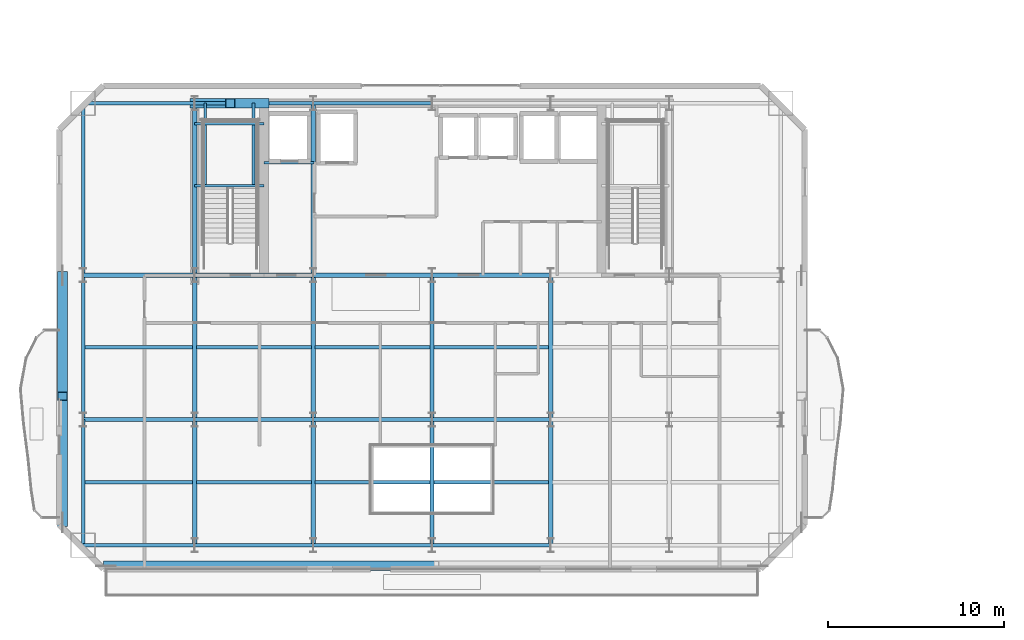
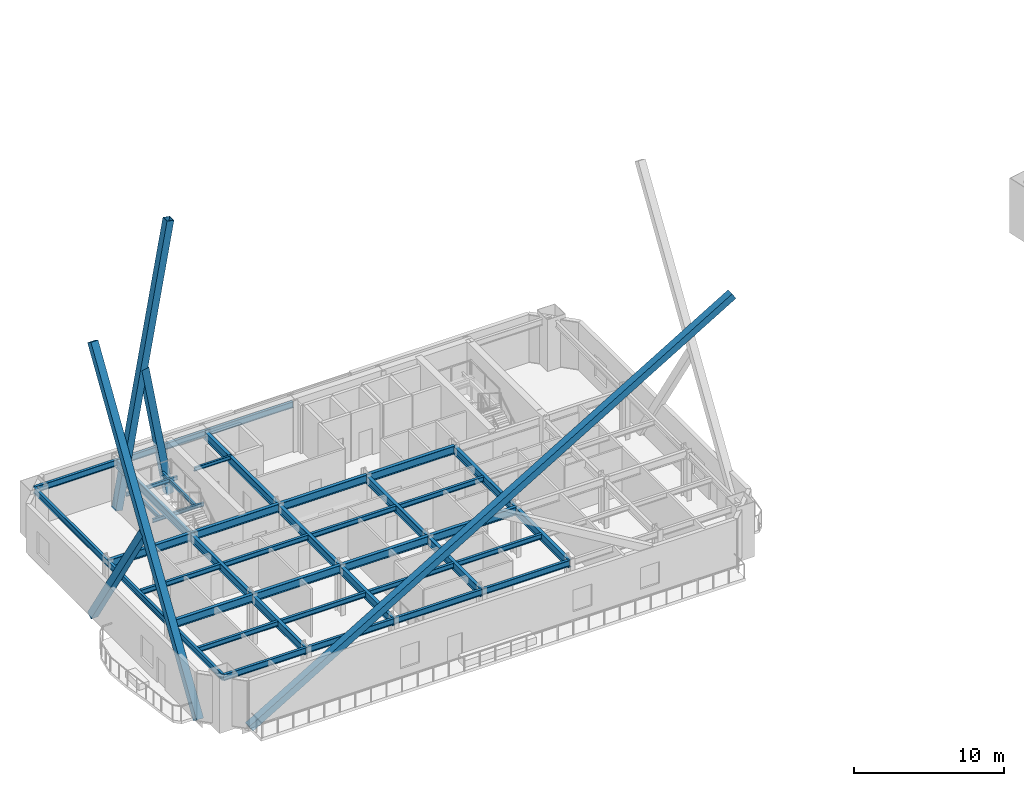
# One storey, part 3 of 22: 41 beams, 5 members.
"""IFC4 building model written with IfcOpenShell, lengths in metres."""

from ifc_helpers import new_model, si_unit, direction, frame, origin, origin_2d, place, context, subcontext, project, spatial, hollow_rectangle, i_section, extrude, material, material_profile, profile_set, type_object, element, save


model = new_model("IFC4")

# Units and contexts
model_context = context("Model", 3, precision=1e-05, world=origin(), true_north=direction((0.0, 1.0)))
body_context = subcontext(model_context, "Body", "Model", "MODEL_VIEW")
ifc_project = project(units=[si_unit("LENGTHUNIT", "METRE"), si_unit("AREAUNIT", "SQUARE_METRE"), si_unit("VOLUMEUNIT", "CUBIC_METRE"), si_unit("PLANEANGLEUNIT", "RADIAN"), si_unit("MASSUNIT", "GRAM", prefix="KILO")], contexts=[model_context])

# Site, building, storey
site_placement = place(None, origin())
site = spatial("IfcSite", under=ifc_project, at=site_placement, CompositionType="ELEMENT")
building_placement = place(site_placement, origin())
building = spatial("IfcBuilding", under=site, at=building_placement, Name="Haevon Station Towers", CompositionType="ELEMENT")
storey_placement = place(building_placement, frame((0.0, 0.0, 133.800048828125)))
storey = spatial("IfcBuildingStorey", under=building, at=storey_placement, Name="L36", CompositionType="ELEMENT", Elevation=133.800048828125)

# Beams
ifc_material_1 = material(Name="Steel S355", Category="steel")
ifc_material_profile_1 = material_profile(ifc_material_1, i_section(OverallWidth=0.25, OverallDepth=0.64990234375, WebThickness=0.012939453125, FlangeThickness=0.02197265625, at=origin_2d()), Name="H-650x250x13x22")
ifc_profile_set_1 = profile_set([ifc_material_profile_1], Name="Steel S355")
beam_type_1 = type_object("IfcBeamType", Name="BM-G650", PredefinedType="BEAM", material=ifc_profile_set_1)
beam_1_placement = place(storey_placement, frame((17.64990234375, 30.0, 3.594970703125), z_axis=(1.0, 0.0, 0.0), x_axis=(0.0, 1.0, 0.0)))
element("IfcBeam", 1, at=beam_1_placement, inside=storey, type_object=beam_type_1, Name="BM-T1U-L36-02-01", PredefinedType="BEAM", context=body_context, shape_type="SweptSolid", body=[
    extrude(i_section(OverallWidth=0.25, OverallDepth=0.64990234375, WebThickness=0.012939453125, FlangeThickness=0.02197265625, at=origin_2d()), origin(), (0.0, 0.0, 1.0), 6.35009765625),
])
for number, where, z_axis, x_axis, name in (
    (2, (24.0, 30.0, 3.594970703125), (1.0, 0.0, 0.0), (0.0, 1.0, 0.0), "BM-T1U-L36-02-02"),
    (3, (30.75, 30.0, 3.594970703125), (1.0, 0.0, 0.0), (0.0, 1.0, 0.0), "BM-T1U-L36-02-03"),
    (4, (37.5, 30.0, 3.594970703125), (1.0, 0.0, 0.0), (0.0, 1.0, 0.0), "BM-T1U-L36-02-04"),
):
    element("IfcBeam", number, at=place(storey_placement, frame(where, z_axis=z_axis, x_axis=x_axis)), inside=storey, type_object=beam_type_1, Name=name, PredefinedType="BEAM", context=body_context, shape_type="SweptSolid", body=[
        extrude(i_section(OverallWidth=0.25, OverallDepth=0.64990234375, WebThickness=0.012939453125, FlangeThickness=0.02197265625, at=origin_2d()), origin(), (0.0, 0.0, 1.0), 6.75),
    ])
beam_2_placement = place(storey_placement, frame((17.64990234375, 38.199951171875, 3.594970703125), z_axis=(1.0, 0.0, 0.0), x_axis=(0.0, 1.0, 0.0)))
element("IfcBeam", 5, at=beam_2_placement, inside=storey, type_object=beam_type_1, Name="BM-T1U-L36-03-01", PredefinedType="BEAM", context=body_context, shape_type="SweptSolid", body=[
    extrude(i_section(OverallWidth=0.25, OverallDepth=0.64990234375, WebThickness=0.012939453125, FlangeThickness=0.02197265625, at=origin_2d()), origin(), (0.0, 0.0, 1.0), 6.35009765625),
])
for number, where, z_axis, x_axis, name in (
    (6, (24.0, 38.199951171875, 3.594970703125), (1.0, 0.0, 0.0), (0.0, 1.0, 0.0), "BM-T1U-L36-03-02"),
    (7, (30.75, 38.199951171875, 3.594970703125), (1.0, 0.0, 0.0), (0.0, 1.0, 0.0), "BM-T1U-L36-03-03"),
    (8, (37.5, 38.199951171875, 3.594970703125), (1.0, 0.0, 0.0), (0.0, 1.0, 0.0), "BM-T1U-L36-03-04"),
):
    element("IfcBeam", number, at=place(storey_placement, frame(where, z_axis=z_axis, x_axis=x_axis)), inside=storey, type_object=beam_type_1, Name=name, PredefinedType="BEAM", context=body_context, shape_type="SweptSolid", body=[
        extrude(i_section(OverallWidth=0.25, OverallDepth=0.64990234375, WebThickness=0.012939453125, FlangeThickness=0.02197265625, at=origin_2d()), origin(), (0.0, 0.0, 1.0), 6.75),
    ])
beam_3_placement = place(storey_placement, frame((24.0, 22.85009765625, 3.594970703125), z_axis=(0.0, 1.0, 0.0), x_axis=(-1.0, 0.0, 0.0)))
element("IfcBeam", 9, at=beam_3_placement, inside=storey, type_object=beam_type_1, Name="BM-T1V-L36-02-01", PredefinedType="BEAM", context=body_context, shape_type="SweptSolid", body=[
    extrude(i_section(OverallWidth=0.25, OverallDepth=0.64990234375, WebThickness=0.012939453125, FlangeThickness=0.02197265625, at=origin_2d()), origin(), (0.0, 0.0, 1.0), 7.14990234375),
])
beam_4_placement = place(storey_placement, frame((24.0, 30.0, 3.594970703125), z_axis=(0.0, 1.0, 0.0), x_axis=(-1.0, 0.0, 0.0)))
element("IfcBeam", 10, at=beam_4_placement, inside=storey, type_object=beam_type_1, Name="BM-T1V-L36-02-02", PredefinedType="BEAM", context=body_context, shape_type="SweptSolid", body=[
    extrude(i_section(OverallWidth=0.25, OverallDepth=0.64990234375, WebThickness=0.012939453125, FlangeThickness=0.02197265625, at=origin_2d()), origin(), (0.0, 0.0, 1.0), 8.199951171875),
])
beam_5_placement = place(storey_placement, frame((24.0, 38.199951171875, 3.594970703125), z_axis=(0.0, 1.0, 0.0), x_axis=(-1.0, 0.0, 0.0)))
element("IfcBeam", 11, at=beam_5_placement, inside=storey, type_object=beam_type_1, Name="BM-T1V-L36-02-03", PredefinedType="BEAM", context=body_context, shape_type="SweptSolid", body=[
    extrude(i_section(OverallWidth=0.25, OverallDepth=0.64990234375, WebThickness=0.012939453125, FlangeThickness=0.02197265625, at=origin_2d()), origin(), (0.0, 0.0, 1.0), 9.800048828125),
])
beam_6_placement = place(storey_placement, frame((30.75, 22.85009765625, 3.594970703125), z_axis=(0.0, 1.0, 0.0), x_axis=(-1.0, 0.0, 0.0)))
element("IfcBeam", 12, at=beam_6_placement, inside=storey, type_object=beam_type_1, Name="BM-T1V-L36-03-01", PredefinedType="BEAM", context=body_context, shape_type="SweptSolid", body=[
    extrude(i_section(OverallWidth=0.25, OverallDepth=0.64990234375, WebThickness=0.012939453125, FlangeThickness=0.02197265625, at=origin_2d()), origin(), (0.0, 0.0, 1.0), 7.14990234375),
])
beam_7_placement = place(storey_placement, frame((30.75, 30.0, 3.594970703125), z_axis=(0.0, 1.0, 0.0), x_axis=(-1.0, 0.0, 0.0)))
element("IfcBeam", 13, at=beam_7_placement, inside=storey, type_object=beam_type_1, Name="BM-T1V-L36-03-02", PredefinedType="BEAM", context=body_context, shape_type="SweptSolid", body=[
    extrude(i_section(OverallWidth=0.25, OverallDepth=0.64990234375, WebThickness=0.012939453125, FlangeThickness=0.02197265625, at=origin_2d()), origin(), (0.0, 0.0, 1.0), 8.199951171875),
])
beam_8_placement = place(storey_placement, frame((30.75, 38.199951171875, 3.594970703125), z_axis=(0.0, 1.0, 0.0), x_axis=(-1.0, 0.0, 0.0)))
element("IfcBeam", 14, at=beam_8_placement, inside=storey, type_object=beam_type_1, Name="BM-T1V-L36-03-03", PredefinedType="BEAM", context=body_context, shape_type="SweptSolid", body=[
    extrude(i_section(OverallWidth=0.25, OverallDepth=0.64990234375, WebThickness=0.012939453125, FlangeThickness=0.02197265625, at=origin_2d()), origin(), (0.0, 0.0, 1.0), 9.800048828125),
])
beam_9_placement = place(storey_placement, frame((37.5, 22.85009765625, 3.594970703125), z_axis=(0.0, 1.0, 0.0), x_axis=(-1.0, 0.0, 0.0)))
element("IfcBeam", 15, at=beam_9_placement, inside=storey, type_object=beam_type_1, Name="BM-T1V-L36-04-01", PredefinedType="BEAM", context=body_context, shape_type="SweptSolid", body=[
    extrude(i_section(OverallWidth=0.25, OverallDepth=0.64990234375, WebThickness=0.012939453125, FlangeThickness=0.02197265625, at=origin_2d()), origin(), (0.0, 0.0, 1.0), 7.14990234375),
])
beam_10_placement = place(storey_placement, frame((37.5, 30.0, 3.594970703125), z_axis=(0.0, 1.0, 0.0), x_axis=(-1.0, 0.0, 0.0)))
element("IfcBeam", 16, at=beam_10_placement, inside=storey, type_object=beam_type_1, Name="BM-T1V-L36-04-02", PredefinedType="BEAM", context=body_context, shape_type="SweptSolid", body=[
    extrude(i_section(OverallWidth=0.25, OverallDepth=0.64990234375, WebThickness=0.012939453125, FlangeThickness=0.02197265625, at=origin_2d()), origin(), (0.0, 0.0, 1.0), 8.199951171875),
])
beam_11_placement = place(storey_placement, frame((44.25, 22.85009765625, 3.594970703125), z_axis=(0.0, 1.0, 0.0), x_axis=(-1.0, 0.0, 0.0)))
element("IfcBeam", 17, at=beam_11_placement, inside=storey, type_object=beam_type_1, Name="BM-T1V-L36-05-01", PredefinedType="BEAM", context=body_context, shape_type="SweptSolid", body=[
    extrude(i_section(OverallWidth=0.25, OverallDepth=0.64990234375, WebThickness=0.012939453125, FlangeThickness=0.02197265625, at=origin_2d()), origin(), (0.0, 0.0, 1.0), 7.14990234375),
])
beam_12_placement = place(storey_placement, frame((44.25, 30.0, 3.594970703125), z_axis=(0.0, 1.0, 0.0), x_axis=(-1.0, 0.0, 0.0)))
element("IfcBeam", 18, at=beam_12_placement, inside=storey, type_object=beam_type_1, Name="BM-T1V-L36-05-02", PredefinedType="BEAM", context=body_context, shape_type="SweptSolid", body=[
    extrude(i_section(OverallWidth=0.25, OverallDepth=0.64990234375, WebThickness=0.012939453125, FlangeThickness=0.02197265625, at=origin_2d()), origin(), (0.0, 0.0, 1.0), 8.199951171875),
])
ifc_material_profile_2 = material_profile(ifc_material_1, i_section(OverallWidth=0.199951171875, OverallDepth=0.39990234375, WebThickness=0.008056640625, FlangeThickness=0.012939453125, at=origin_2d()), Name="H-400x200x8x13")
ifc_profile_set_2 = profile_set([ifc_material_profile_2], Name="Steel S355")
beam_type_2 = type_object("IfcBeamType", Name="BM-J400", PredefinedType="JOIST", material=ifc_profile_set_2)
beam_13_placement = place(storey_placement, frame((17.760009765625, 26.425048828125, 3.719970703125), z_axis=(1.0, 0.0, 0.0), x_axis=(0.0, 1.0, 0.0)))
element("IfcBeam", 19, at=beam_13_placement, inside=storey, type_object=beam_type_2, Name="BM-T1J-L36-01-01", PredefinedType="JOIST", context=body_context, shape_type="SweptSolid", body=[
    extrude(i_section(OverallWidth=0.199951171875, OverallDepth=0.39990234375, WebThickness=0.008056640625, FlangeThickness=0.012939453125, at=origin_2d()), origin(), (0.0, 0.0, 1.0), 6.1298828125),
])
for number, where, z_axis, x_axis, name in (
    (20, (24.110107421875, 26.425048828125, 3.719970703125), (1.0, 0.0, 0.0), (0.0, 1.0, 0.0), "BM-T1J-L36-01-02"),
    (21, (30.860107421875, 26.425048828125, 3.719970703125), (1.0, 0.0, 0.0), (0.0, 1.0, 0.0), "BM-T1J-L36-01-03"),
    (22, (37.610107421875, 26.425048828125, 3.719970703125), (1.0, 0.0, 0.0), (0.0, 1.0, 0.0), "BM-T1J-L36-01-04"),
):
    element("IfcBeam", number, at=place(storey_placement, frame(where, z_axis=z_axis, x_axis=x_axis)), inside=storey, type_object=beam_type_2, Name=name, PredefinedType="JOIST", context=body_context, shape_type="SweptSolid", body=[
        extrude(i_section(OverallWidth=0.199951171875, OverallDepth=0.39990234375, WebThickness=0.008056640625, FlangeThickness=0.012939453125, at=origin_2d()), origin(), (0.0, 0.0, 1.0), 6.52978515625),
    ])
beam_14_placement = place(storey_placement, frame((17.760009765625, 34.10009765625, 3.719970703125), z_axis=(1.0, 0.0, 0.0), x_axis=(0.0, 1.0, 0.0)))
element("IfcBeam", 23, at=beam_14_placement, inside=storey, type_object=beam_type_2, Name="BM-T1J-L36-02-01", PredefinedType="JOIST", context=body_context, shape_type="SweptSolid", body=[
    extrude(i_section(OverallWidth=0.199951171875, OverallDepth=0.39990234375, WebThickness=0.008056640625, FlangeThickness=0.012939453125, at=origin_2d()), origin(), (0.0, 0.0, 1.0), 6.1298828125),
])
for number, where, z_axis, x_axis, name in (
    (24, (24.110107421875, 34.10009765625, 3.719970703125), (1.0, 0.0, 0.0), (0.0, 1.0, 0.0), "BM-T1J-L36-02-02"),
    (25, (30.860107421875, 34.10009765625, 3.719970703125), (1.0, 0.0, 0.0), (0.0, 1.0, 0.0), "BM-T1J-L36-02-03"),
    (26, (37.610107421875, 34.10009765625, 3.719970703125), (1.0, 0.0, 0.0), (0.0, 1.0, 0.0), "BM-T1J-L36-02-04"),
):
    element("IfcBeam", number, at=place(storey_placement, frame(where, z_axis=z_axis, x_axis=x_axis)), inside=storey, type_object=beam_type_2, Name=name, PredefinedType="JOIST", context=body_context, shape_type="SweptSolid", body=[
        extrude(i_section(OverallWidth=0.199951171875, OverallDepth=0.39990234375, WebThickness=0.008056640625, FlangeThickness=0.012939453125, at=origin_2d()), origin(), (0.0, 0.0, 1.0), 6.52978515625),
    ])
ifc_material_profile_3 = material_profile(ifc_material_1, i_section(OverallWidth=0.14990234375, OverallDepth=0.300048828125, WebThickness=0.006591796875, FlangeThickness=0.009033203125, at=origin_2d()), Name="H-300x150x6.5x9")
ifc_profile_set_3 = profile_set([ifc_material_profile_3], Name="Steel S355")
beam_type_3 = type_object("IfcBeamType", Name="BM-LIN300", PredefinedType="LINTEL", material=ifc_profile_set_3)
for number, where, z_axis, x_axis, name in (
    (27, (24.0, 43.303955078125, 1.75), (1.0, 0.0, 0.0), (0.0, 1.0, 0.0), "BM-ST1L-L36-1-S"),
    (28, (24.0, 46.820068359375, 1.75), (1.0, 0.0, 0.0), (0.0, 1.0, 0.0), "BM-ST1L-L36-1-N"),
):
    element("IfcBeam", number, at=place(storey_placement, frame(where, z_axis=z_axis, x_axis=x_axis)), inside=storey, type_object=beam_type_3, Name=name, PredefinedType="LINTEL", context=body_context, shape_type="SweptSolid", body=[
        extrude(i_section(OverallWidth=0.14990234375, OverallDepth=0.300048828125, WebThickness=0.006591796875, FlangeThickness=0.009033203125, at=origin_2d()), origin(), (0.0, 0.0, 1.0), 3.949951171875),
    ])
for number, where, z_axis, x_axis, name in (
    (29, (24.60009765625, 43.303955078125, 1.75), (0.0, 1.0, 0.0), (-1.0, 0.0, 0.0), "BM-ST1L-L36-1-W"),
    (30, (27.35009765625, 43.303955078125, 1.75), (0.0, 1.0, 0.0), (-1.0, 0.0, 0.0), "BM-ST1L-L36-1-E"),
):
    element("IfcBeam", number, at=place(storey_placement, frame(where, z_axis=z_axis, x_axis=x_axis)), inside=storey, type_object=beam_type_3, Name=name, PredefinedType="LINTEL", context=body_context, shape_type="SweptSolid", body=[
        extrude(i_section(OverallWidth=0.14990234375, OverallDepth=0.300048828125, WebThickness=0.006591796875, FlangeThickness=0.009033203125, at=origin_2d()), origin(), (0.0, 0.0, 1.0), 4.696044921875),
    ])
beam_15_placement = place(storey_placement, frame((27.949951171875, 44.60009765625, 3.77001953125), z_axis=(1.0, 0.0, 0.0), x_axis=(0.0, 1.0, 0.0)))
element("IfcBeam", 31, at=beam_15_placement, inside=storey, type_object=beam_type_3, Name="BM-T1LIN-L36", PredefinedType="LINTEL", context=body_context, shape_type="SweptSolid", body=[
    extrude(i_section(OverallWidth=0.14990234375, OverallDepth=0.300048828125, WebThickness=0.006591796875, FlangeThickness=0.009033203125, at=origin_2d()), origin(), (0.0, 0.0, 1.0), 2.85009765625),
])
ifc_material_profile_4 = material_profile(ifc_material_1, i_section(OverallWidth=0.199951171875, OverallDepth=0.5, WebThickness=0.010009765625, FlangeThickness=0.01611328125, at=origin_2d()), Name="H-500x200x10x16")
ifc_profile_set_4 = profile_set([ifc_material_profile_4], Name="Steel S355")
beam_type_4 = type_object("IfcBeamType", Name="BM-SP500", PredefinedType="SPANDREL", material=ifc_profile_set_4)
beam_16_placement = place(storey_placement, frame((17.64990234375, 22.85009765625, 3.669921875), z_axis=(1.0, 0.0, 0.0), x_axis=(0.0, 1.0, 0.0)))
element("IfcBeam", 32, at=beam_16_placement, inside=storey, type_object=beam_type_4, Name="BM-T1U-L36-01-01", PredefinedType="SPANDREL", context=body_context, shape_type="SweptSolid", body=[
    extrude(i_section(OverallWidth=0.199951171875, OverallDepth=0.5, WebThickness=0.010009765625, FlangeThickness=0.01611328125, at=origin_2d()), origin(), (0.0, 0.0, 1.0), 6.35009765625),
])
for number, where, z_axis, x_axis, name in (
    (33, (24.0, 22.85009765625, 3.669921875), (1.0, 0.0, 0.0), (0.0, 1.0, 0.0), "BM-T1U-L36-01-02"),
    (34, (30.75, 22.85009765625, 3.669921875), (1.0, 0.0, 0.0), (0.0, 1.0, 0.0), "BM-T1U-L36-01-03"),
    (35, (37.5, 22.85009765625, 3.669921875), (1.0, 0.0, 0.0), (0.0, 1.0, 0.0), "BM-T1U-L36-01-04"),
):
    element("IfcBeam", number, at=place(storey_placement, frame(where, z_axis=z_axis, x_axis=x_axis)), inside=storey, type_object=beam_type_4, Name=name, PredefinedType="SPANDREL", context=body_context, shape_type="SweptSolid", body=[
        extrude(i_section(OverallWidth=0.199951171875, OverallDepth=0.5, WebThickness=0.010009765625, FlangeThickness=0.01611328125, at=origin_2d()), origin(), (0.0, 0.0, 1.0), 6.75),
    ])
beam_17_placement = place(storey_placement, frame((17.64990234375, 48.0, 3.669921875), z_axis=(1.0, 0.0, 0.0), x_axis=(0.0, 1.0, 0.0)))
element("IfcBeam", 36, at=beam_17_placement, inside=storey, type_object=beam_type_4, Name="BM-T1U-L36-04-01", PredefinedType="SPANDREL", context=body_context, shape_type="SweptSolid", body=[
    extrude(i_section(OverallWidth=0.199951171875, OverallDepth=0.5, WebThickness=0.010009765625, FlangeThickness=0.01611328125, at=origin_2d()), origin(), (0.0, 0.0, 1.0), 6.35009765625),
])
for number, where, z_axis, x_axis, name in (
    (37, (24.0, 48.0, 3.669921875), (1.0, 0.0, 0.0), (0.0, 1.0, 0.0), "BM-T1U-L36-04-02"),
    (38, (30.75, 48.0, 3.669921875), (1.0, 0.0, 0.0), (0.0, 1.0, 0.0), "BM-T1U-L36-04-03"),
):
    element("IfcBeam", number, at=place(storey_placement, frame(where, z_axis=z_axis, x_axis=x_axis)), inside=storey, type_object=beam_type_4, Name=name, PredefinedType="SPANDREL", context=body_context, shape_type="SweptSolid", body=[
        extrude(i_section(OverallWidth=0.199951171875, OverallDepth=0.5, WebThickness=0.010009765625, FlangeThickness=0.01611328125, at=origin_2d()), origin(), (0.0, 0.0, 1.0), 6.75),
    ])
beam_18_placement = place(storey_placement, frame((17.64990234375, 22.85009765625, 3.669921875), z_axis=(0.0, 1.0, 0.0), x_axis=(-1.0, 0.0, 0.0)))
element("IfcBeam", 39, at=beam_18_placement, inside=storey, type_object=beam_type_4, Name="BM-T1V-L36-01-01", PredefinedType="SPANDREL", context=body_context, shape_type="SweptSolid", body=[
    extrude(i_section(OverallWidth=0.199951171875, OverallDepth=0.5, WebThickness=0.010009765625, FlangeThickness=0.01611328125, at=origin_2d()), origin(), (0.0, 0.0, 1.0), 7.14990234375),
])
beam_19_placement = place(storey_placement, frame((17.64990234375, 30.0, 3.669921875), z_axis=(0.0, 1.0, 0.0), x_axis=(-1.0, 0.0, 0.0)))
element("IfcBeam", 40, at=beam_19_placement, inside=storey, type_object=beam_type_4, Name="BM-T1V-L36-01-02", PredefinedType="SPANDREL", context=body_context, shape_type="SweptSolid", body=[
    extrude(i_section(OverallWidth=0.199951171875, OverallDepth=0.5, WebThickness=0.010009765625, FlangeThickness=0.01611328125, at=origin_2d()), origin(), (0.0, 0.0, 1.0), 8.199951171875),
])
beam_20_placement = place(storey_placement, frame((17.64990234375, 38.199951171875, 3.669921875), z_axis=(0.0, 1.0, 0.0), x_axis=(-1.0, 0.0, 0.0)))
element("IfcBeam", 41, at=beam_20_placement, inside=storey, type_object=beam_type_4, Name="BM-T1V-L36-01-03", PredefinedType="SPANDREL", context=body_context, shape_type="SweptSolid", body=[
    extrude(i_section(OverallWidth=0.199951171875, OverallDepth=0.5, WebThickness=0.010009765625, FlangeThickness=0.01611328125, at=origin_2d()), origin(), (0.0, 0.0, 1.0), 9.800048828125),
])

# Members
ifc_material_2 = material(Name="Steel S460", Category="steel")
ifc_material_profile_5 = material_profile(ifc_material_2, hollow_rectangle(XDim=0.550048828125, YDim=0.550048828125, WallThickness=0.028076171875, at=origin_2d()), Name="RHS-550x550x28")
ifc_profile_set_5 = profile_set([ifc_material_profile_5], Name="Steel S460")
member_type = type_object("IfcMemberType", Name="MB-550", PredefinedType="BRACE", material=ifc_profile_set_5)
member_1_placement = place(storey_placement, frame((18.949951171875, 21.679931640625, -0.1201171875), z_axis=(0.858409166288, 0.0, 0.51296559654), x_axis=(0.0, 1.0, 0.0)))
element("IfcMember", 42, at=member_1_placement, inside=storey, type_object=member_type, Name="BR-T1MB-T05-S-D1", PredefinedType="BRACE", context=body_context, shape_type="SweptSolid", body=[
    extrude(hollow_rectangle(XDim=0.550048828125, YDim=0.550048828125, WallThickness=0.028076171875, at=origin_2d()), origin(), (0.0, 0.0, 1.0), 43.219482421875),
])
member_2_placement = place(storey_placement, frame((24.0, 48.0, -0.1201171875), z_axis=(0.175403014646, 0.0, 0.984496715308), x_axis=(0.0, 1.0, 0.0)))
element("IfcMember", 43, at=member_2_placement, inside=storey, type_object=member_type, Name="BR-T1MB-T05-N-D1", PredefinedType="BRACE", context=body_context, shape_type="SweptSolid", body=[
    extrude(hollow_rectangle(XDim=0.550048828125, YDim=0.550048828125, WallThickness=0.028076171875, at=origin_2d()), origin(), (0.0, 0.0, 1.0), 22.519287109375),
])
member_3_placement = place(storey_placement, frame((27.949951171875, 48.0, -0.1201171875), z_axis=(-0.175397109417, 0.0, 0.984497767396), x_axis=(0.0, -1.0, 0.0)))
element("IfcMember", 44, at=member_3_placement, inside=storey, type_object=member_type, Name="BR-T1MB-T05-N-D2A", PredefinedType="BRACE", context=body_context, shape_type="SweptSolid", body=[
    extrude(hollow_rectangle(XDim=0.550048828125, YDim=0.550048828125, WallThickness=0.028076171875, at=origin_2d()), origin(), (0.0, 0.0, 1.0), 10.97265625),
])
member_4_placement = place(storey_placement, frame((16.47998046875, 24.14990234375, -0.1201171875), z_axis=(0.0, 0.535295256721, 0.844665015336), x_axis=(-1.0, 0.0, 0.0)))
element("IfcMember", 45, at=member_4_placement, inside=storey, type_object=member_type, Name="BR-T1MB-T05-W-D1", PredefinedType="BRACE", context=body_context, shape_type="SweptSolid", body=[
    extrude(hollow_rectangle(XDim=0.550048828125, YDim=0.550048828125, WallThickness=0.028076171875, at=origin_2d()), origin(), (0.0, 0.0, 1.0), 26.247314453125),
])
member_5_placement = place(storey_placement, frame((16.47998046875, 38.199951171875, -0.1201171875), z_axis=(0.0, -0.535296850525, 0.844664005282), x_axis=(1.0, 0.0, 0.0)))
element("IfcMember", 46, at=member_5_placement, inside=storey, type_object=member_type, Name="BR-T1MB-T05-W-D2A", PredefinedType="BRACE", context=body_context, shape_type="SweptSolid", body=[
    extrude(hollow_rectangle(XDim=0.550048828125, YDim=0.550048828125, WallThickness=0.028076171875, at=origin_2d()), origin(), (0.0, 0.0, 1.0), 12.83642578125),
])

save(model, "model.ifc")
